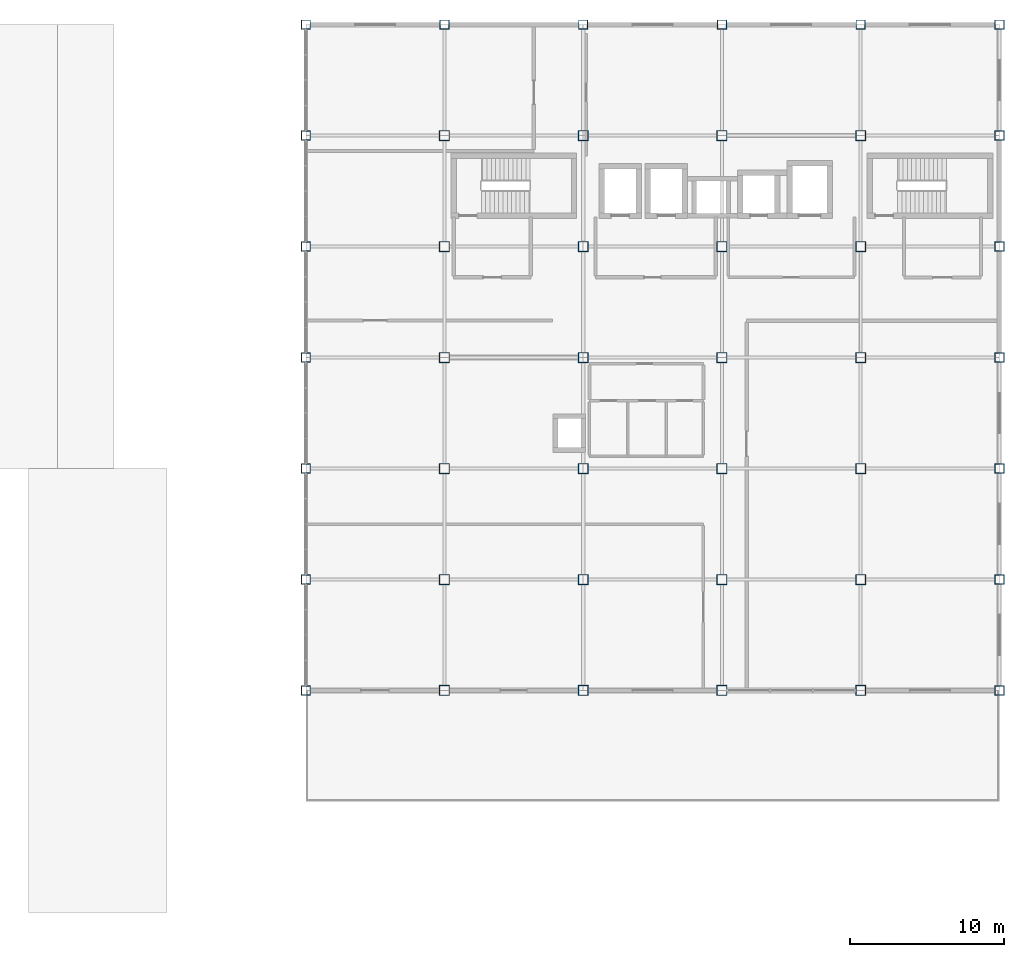
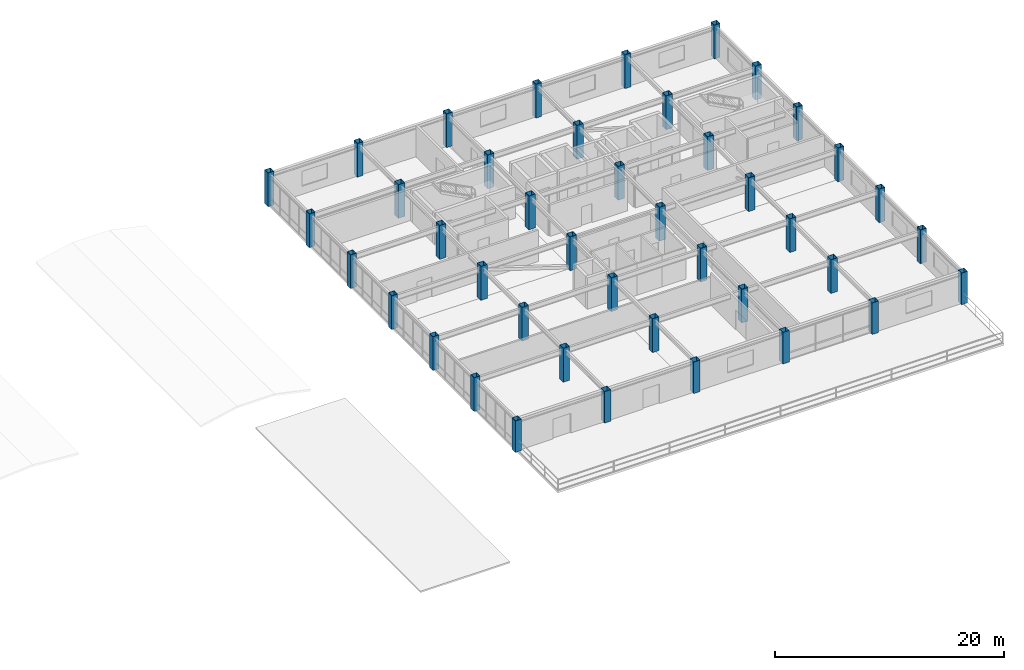
# One storey, part 3 of 34: 42 columns.
"""IFC4 building model written with IfcOpenShell, lengths in metres."""

from ifc_helpers import new_model, si_unit, direction, frame, origin, origin_2d, place, context, subcontext, project, spatial, hollow_rectangle, extrude, material, material_profile, profile_set, type_object, element, save


model = new_model("IFC4")

# Units and contexts
model_context = context("Model", 3, precision=1e-05, world=origin(), true_north=direction((0.0, 1.0)))
body_context = subcontext(model_context, "Body", "Model", "MODEL_VIEW")
ifc_project = project(units=[si_unit("LENGTHUNIT", "METRE"), si_unit("AREAUNIT", "SQUARE_METRE"), si_unit("VOLUMEUNIT", "CUBIC_METRE"), si_unit("PLANEANGLEUNIT", "RADIAN"), si_unit("MASSUNIT", "GRAM", prefix="KILO")], contexts=[model_context])

# Site, building, storey
site_placement = place(None, origin())
site = spatial("IfcSite", under=ifc_project, at=site_placement, CompositionType="ELEMENT")
building_placement = place(site_placement, origin())
building = spatial("IfcBuilding", under=site, at=building_placement, Name="Kazanami Central Library", CompositionType="ELEMENT")
storey_placement = place(building_placement, frame((0.0, 0.0, 17.0)))
storey = spatial("IfcBuildingStorey", under=building, at=storey_placement, Name="L05", CompositionType="ELEMENT", Elevation=17.0)

# Columns
ifc_material = material(Name="Steel BCP325 (325 MPa)", Category="steel")
ifc_material_profile_1 = material_profile(ifc_material, hollow_rectangle(XDim=0.64990234375, YDim=0.64990234375, WallThickness=0.02490234375, at=origin_2d()), Name="BCP-650x650x25")
ifc_profile_set_1 = profile_set([ifc_material_profile_1], Name="Steel BCP325 (325 MPa)")
column_type_1 = type_object("IfcColumnType", Name="COL-C-T2I", PredefinedType="COLUMN", material=ifc_profile_set_1)
column_1_placement = place(storey_placement, frame((126.0, 50.39990234375, 0.0), z_axis=(0.0, 0.0, 1.0), x_axis=(1.0, 0.0, 0.0)))
element("IfcColumn", 1, at=column_1_placement, inside=storey, type_object=column_type_1, Name="Column C-T2I L05 15/H", PredefinedType="COLUMN", context=body_context, shape_type="SweptSolid", body=[
    extrude(hollow_rectangle(XDim=0.64990234375, YDim=0.64990234375, WallThickness=0.02490234375, at=origin_2d()), origin(), (0.0, 0.0, 1.0), 3.360107421875),
])
for number, where, z_axis, x_axis, name in (
    (2, (126.0, 57.60009765625, 0.0), (0.0, 0.0, 1.0), (1.0, 0.0, 0.0), "Column C-T2I L05 15/J"),
    (3, (126.0, 64.800048828125, 0.0), (0.0, 0.0, 1.0), (1.0, 0.0, 0.0), "Column C-T2I L05 15/K"),
    (4, (126.0, 72.0, 0.0), (0.0, 0.0, 1.0), (1.0, 0.0, 0.0), "Column C-T2I L05 15/L"),
    (5, (126.0, 79.199951171875, 0.0), (0.0, 0.0, 1.0), (1.0, 0.0, 0.0), "Column C-T2I L05 15/M"),
    (6, (126.0, 86.39990234375, 0.0), (0.0, 0.0, 1.0), (1.0, 0.0, 0.0), "Column C-T2I L05 15/N"),
):
    element("IfcColumn", number, at=place(storey_placement, frame(where, z_axis=z_axis, x_axis=x_axis)), inside=storey, type_object=column_type_1, Name=name, PredefinedType="COLUMN", context=body_context, shape_type="SweptSolid", body=[
        extrude(hollow_rectangle(XDim=0.64990234375, YDim=0.64990234375, WallThickness=0.02490234375, at=origin_2d()), origin(), (0.0, 0.0, 1.0), 3.60009765625),
    ])
column_2_placement = place(storey_placement, frame((135.0, 50.39990234375, 0.0), z_axis=(0.0, 0.0, 1.0), x_axis=(1.0, 0.0, 0.0)))
element("IfcColumn", 7, at=column_2_placement, inside=storey, type_object=column_type_1, Name="Column C-T2I L05 16/H", PredefinedType="COLUMN", context=body_context, shape_type="SweptSolid", body=[
    extrude(hollow_rectangle(XDim=0.64990234375, YDim=0.64990234375, WallThickness=0.02490234375, at=origin_2d()), origin(), (0.0, 0.0, 1.0), 3.360107421875),
])
for number, where, z_axis, x_axis, name in (
    (8, (135.0, 57.60009765625, 0.0), (0.0, 0.0, 1.0), (1.0, 0.0, 0.0), "Column C-T2I L05 16/J"),
    (9, (135.0, 64.800048828125, 0.0), (0.0, 0.0, 1.0), (1.0, 0.0, 0.0), "Column C-T2I L05 16/K"),
    (10, (135.0, 72.0, 0.0), (0.0, 0.0, 1.0), (1.0, 0.0, 0.0), "Column C-T2I L05 16/L"),
    (11, (135.0, 79.199951171875, 0.0), (0.0, 0.0, 1.0), (1.0, 0.0, 0.0), "Column C-T2I L05 16/M"),
    (12, (135.0, 86.39990234375, 0.0), (0.0, 0.0, 1.0), (1.0, 0.0, 0.0), "Column C-T2I L05 16/N"),
):
    element("IfcColumn", number, at=place(storey_placement, frame(where, z_axis=z_axis, x_axis=x_axis)), inside=storey, type_object=column_type_1, Name=name, PredefinedType="COLUMN", context=body_context, shape_type="SweptSolid", body=[
        extrude(hollow_rectangle(XDim=0.64990234375, YDim=0.64990234375, WallThickness=0.02490234375, at=origin_2d()), origin(), (0.0, 0.0, 1.0), 3.60009765625),
    ])
column_3_placement = place(storey_placement, frame((144.0, 50.39990234375, 0.0), z_axis=(0.0, 0.0, 1.0), x_axis=(1.0, 0.0, 0.0)))
element("IfcColumn", 13, at=column_3_placement, inside=storey, type_object=column_type_1, Name="Column C-T2I L05 17/H", PredefinedType="COLUMN", context=body_context, shape_type="SweptSolid", body=[
    extrude(hollow_rectangle(XDim=0.64990234375, YDim=0.64990234375, WallThickness=0.02490234375, at=origin_2d()), origin(), (0.0, 0.0, 1.0), 3.360107421875),
])
for number, where, z_axis, x_axis, name in (
    (14, (144.0, 57.60009765625, 0.0), (0.0, 0.0, 1.0), (1.0, 0.0, 0.0), "Column C-T2I L05 17/J"),
    (15, (144.0, 64.800048828125, 0.0), (0.0, 0.0, 1.0), (1.0, 0.0, 0.0), "Column C-T2I L05 17/K"),
    (16, (144.0, 72.0, 0.0), (0.0, 0.0, 1.0), (1.0, 0.0, 0.0), "Column C-T2I L05 17/L"),
    (17, (144.0, 79.199951171875, 0.0), (0.0, 0.0, 1.0), (1.0, 0.0, 0.0), "Column C-T2I L05 17/M"),
    (18, (144.0, 86.39990234375, 0.0), (0.0, 0.0, 1.0), (1.0, 0.0, 0.0), "Column C-T2I L05 17/N"),
):
    element("IfcColumn", number, at=place(storey_placement, frame(where, z_axis=z_axis, x_axis=x_axis)), inside=storey, type_object=column_type_1, Name=name, PredefinedType="COLUMN", context=body_context, shape_type="SweptSolid", body=[
        extrude(hollow_rectangle(XDim=0.64990234375, YDim=0.64990234375, WallThickness=0.02490234375, at=origin_2d()), origin(), (0.0, 0.0, 1.0), 3.60009765625),
    ])
column_4_placement = place(storey_placement, frame((153.0, 50.39990234375, 0.0), z_axis=(0.0, 0.0, 1.0), x_axis=(1.0, 0.0, 0.0)))
element("IfcColumn", 19, at=column_4_placement, inside=storey, type_object=column_type_1, Name="Column C-T2I L05 18/H", PredefinedType="COLUMN", context=body_context, shape_type="SweptSolid", body=[
    extrude(hollow_rectangle(XDim=0.64990234375, YDim=0.64990234375, WallThickness=0.02490234375, at=origin_2d()), origin(), (0.0, 0.0, 1.0), 3.360107421875),
])
for number, where, z_axis, x_axis, name in (
    (20, (153.0, 57.60009765625, 0.0), (0.0, 0.0, 1.0), (1.0, 0.0, 0.0), "Column C-T2I L05 18/J"),
    (21, (153.0, 64.800048828125, 0.0), (0.0, 0.0, 1.0), (1.0, 0.0, 0.0), "Column C-T2I L05 18/K"),
    (22, (153.0, 72.0, 0.0), (0.0, 0.0, 1.0), (1.0, 0.0, 0.0), "Column C-T2I L05 18/L"),
    (23, (153.0, 79.199951171875, 0.0), (0.0, 0.0, 1.0), (1.0, 0.0, 0.0), "Column C-T2I L05 18/M"),
    (24, (153.0, 86.39990234375, 0.0), (0.0, 0.0, 1.0), (1.0, 0.0, 0.0), "Column C-T2I L05 18/N"),
):
    element("IfcColumn", number, at=place(storey_placement, frame(where, z_axis=z_axis, x_axis=x_axis)), inside=storey, type_object=column_type_1, Name=name, PredefinedType="COLUMN", context=body_context, shape_type="SweptSolid", body=[
        extrude(hollow_rectangle(XDim=0.64990234375, YDim=0.64990234375, WallThickness=0.02490234375, at=origin_2d()), origin(), (0.0, 0.0, 1.0), 3.60009765625),
    ])
ifc_material_profile_2 = material_profile(ifc_material, hollow_rectangle(XDim=0.60009765625, YDim=0.60009765625, WallThickness=0.02490234375, at=origin_2d()), Name="BCP-600x600x25")
ifc_profile_set_2 = profile_set([ifc_material_profile_2], Name="Steel BCP325 (325 MPa)")
column_type_2 = type_object("IfcColumnType", Name="COL-C-T2P", PredefinedType="COLUMN", material=ifc_profile_set_2)
column_5_placement = place(storey_placement, frame((117.0, 50.39990234375, 0.0), z_axis=(0.0, 0.0, 1.0), x_axis=(1.0, 0.0, 0.0)))
element("IfcColumn", 25, at=column_5_placement, inside=storey, type_object=column_type_2, Name="Column C-T2P L05 14/H", PredefinedType="COLUMN", context=body_context, shape_type="SweptSolid", body=[
    extrude(hollow_rectangle(XDim=0.60009765625, YDim=0.60009765625, WallThickness=0.02490234375, at=origin_2d()), origin(), (0.0, 0.0, 1.0), 3.360107421875),
])
for number, where, z_axis, x_axis, name in (
    (26, (117.0, 57.60009765625, 0.0), (0.0, 0.0, 1.0), (1.0, 0.0, 0.0), "Column C-T2P L05 14/J"),
    (27, (117.0, 64.800048828125, 0.0), (0.0, 0.0, 1.0), (1.0, 0.0, 0.0), "Column C-T2P L05 14/K"),
    (28, (117.0, 72.0, 0.0), (0.0, 0.0, 1.0), (1.0, 0.0, 0.0), "Column C-T2P L05 14/L"),
    (29, (117.0, 79.199951171875, 0.0), (0.0, 0.0, 1.0), (1.0, 0.0, 0.0), "Column C-T2P L05 14/M"),
    (30, (117.0, 86.39990234375, 0.0), (0.0, 0.0, 1.0), (1.0, 0.0, 0.0), "Column C-T2P L05 14/N"),
    (31, (117.0, 93.60009765625, 0.0), (0.0, 0.0, 1.0), (1.0, 0.0, 0.0), "Column C-T2P L05 14/O"),
    (32, (126.0, 93.60009765625, 0.0), (0.0, 0.0, 1.0), (1.0, 0.0, 0.0), "Column C-T2P L05 15/O"),
    (33, (135.0, 93.60009765625, 0.0), (0.0, 0.0, 1.0), (1.0, 0.0, 0.0), "Column C-T2P L05 16/O"),
    (34, (144.0, 93.60009765625, 0.0), (0.0, 0.0, 1.0), (1.0, 0.0, 0.0), "Column C-T2P L05 17/O"),
    (35, (153.0, 93.60009765625, 0.0), (0.0, 0.0, 1.0), (1.0, 0.0, 0.0), "Column C-T2P L05 18/O"),
):
    element("IfcColumn", number, at=place(storey_placement, frame(where, z_axis=z_axis, x_axis=x_axis)), inside=storey, type_object=column_type_2, Name=name, PredefinedType="COLUMN", context=body_context, shape_type="SweptSolid", body=[
        extrude(hollow_rectangle(XDim=0.60009765625, YDim=0.60009765625, WallThickness=0.02490234375, at=origin_2d()), origin(), (0.0, 0.0, 1.0), 3.60009765625),
    ])
column_6_placement = place(storey_placement, frame((162.0, 50.39990234375, 0.0), z_axis=(0.0, 0.0, 1.0), x_axis=(1.0, 0.0, 0.0)))
element("IfcColumn", 36, at=column_6_placement, inside=storey, type_object=column_type_2, Name="Column C-T2P L05 19/H", PredefinedType="COLUMN", context=body_context, shape_type="SweptSolid", body=[
    extrude(hollow_rectangle(XDim=0.60009765625, YDim=0.60009765625, WallThickness=0.02490234375, at=origin_2d()), origin(), (0.0, 0.0, 1.0), 3.360107421875),
])
for number, where, z_axis, x_axis, name in (
    (37, (162.0, 57.60009765625, 0.0), (0.0, 0.0, 1.0), (1.0, 0.0, 0.0), "Column C-T2P L05 19/J"),
    (38, (162.0, 64.800048828125, 0.0), (0.0, 0.0, 1.0), (1.0, 0.0, 0.0), "Column C-T2P L05 19/K"),
    (39, (162.0, 72.0, 0.0), (0.0, 0.0, 1.0), (1.0, 0.0, 0.0), "Column C-T2P L05 19/L"),
    (40, (162.0, 79.199951171875, 0.0), (0.0, 0.0, 1.0), (1.0, 0.0, 0.0), "Column C-T2P L05 19/M"),
    (41, (162.0, 86.39990234375, 0.0), (0.0, 0.0, 1.0), (1.0, 0.0, 0.0), "Column C-T2P L05 19/N"),
    (42, (162.0, 93.60009765625, 0.0), (0.0, 0.0, 1.0), (1.0, 0.0, 0.0), "Column C-T2P L05 19/O"),
):
    element("IfcColumn", number, at=place(storey_placement, frame(where, z_axis=z_axis, x_axis=x_axis)), inside=storey, type_object=column_type_2, Name=name, PredefinedType="COLUMN", context=body_context, shape_type="SweptSolid", body=[
        extrude(hollow_rectangle(XDim=0.60009765625, YDim=0.60009765625, WallThickness=0.02490234375, at=origin_2d()), origin(), (0.0, 0.0, 1.0), 3.60009765625),
    ])

save(model, "model.ifc")
